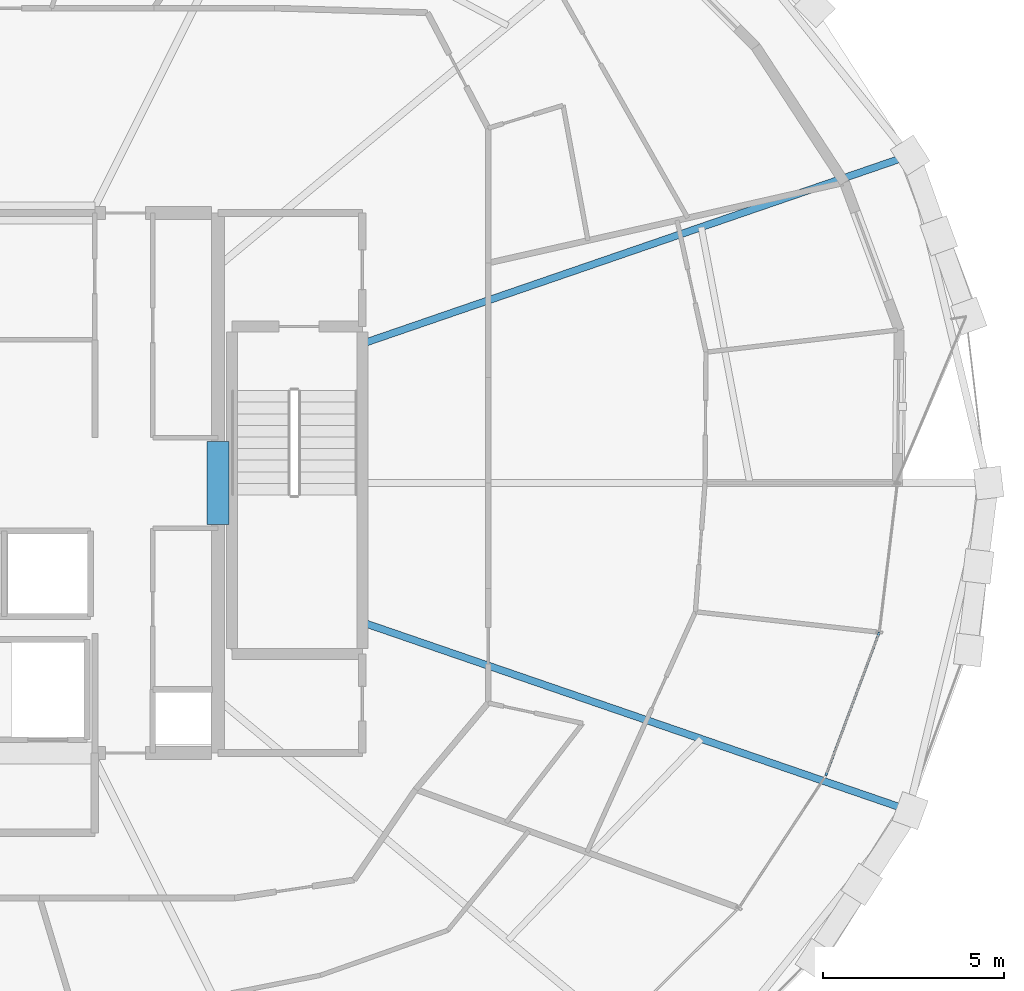
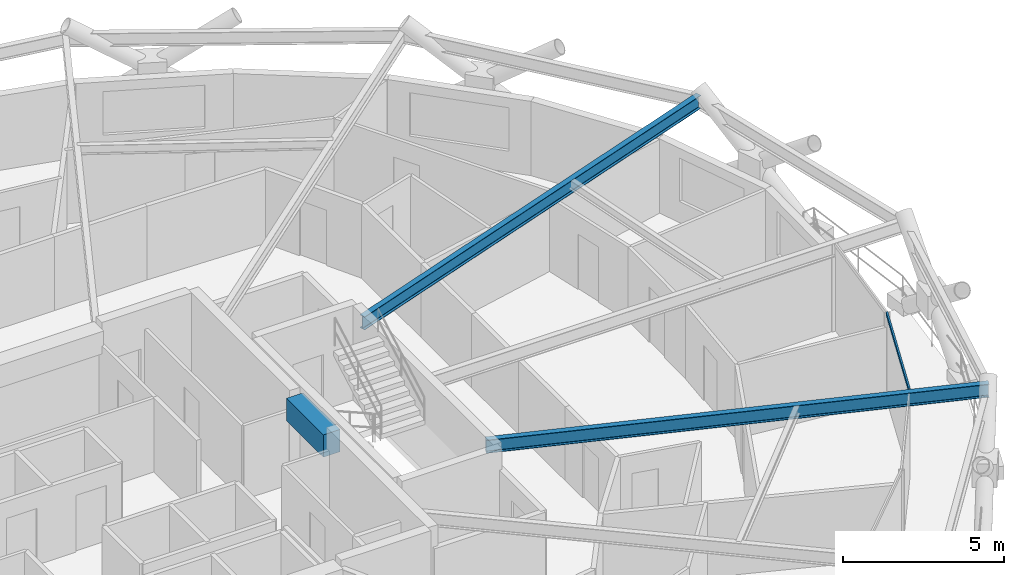
# One storey, part 8 of 21: 3 beams, 1 member, 1 element without a shape of its own.
"""IFC4 building model written with IfcOpenShell, lengths in metres."""

from ifc_helpers import new_model, si_unit, direction, frame, origin, origin_2d, place, context, subcontext, project, spatial, rectangle, hollow_rectangle, i_section, extrude, material, layer, layer_set, material_profile, profile_set, type_object, element, aggregate, save


model = new_model("IFC4")

# Units and contexts
model_context = context("Model", 3, precision=1e-05, world=origin(), true_north=direction((0.0, 1.0)))
body_context = subcontext(model_context, "Body", "Model", "MODEL_VIEW")
ifc_project = project(units=[si_unit("LENGTHUNIT", "METRE"), si_unit("AREAUNIT", "SQUARE_METRE"), si_unit("VOLUMEUNIT", "CUBIC_METRE"), si_unit("PLANEANGLEUNIT", "RADIAN"), si_unit("MASSUNIT", "GRAM", prefix="KILO")], contexts=[model_context])

# Site, building, storey
site_placement = place(None, origin())
site = spatial("IfcSite", under=ifc_project, at=site_placement, CompositionType="ELEMENT")
building_placement = place(site_placement, origin())
building = spatial("IfcBuilding", under=site, at=building_placement, Name="Veldorina Hangang Commons", CompositionType="ELEMENT")
storey_placement = place(building_placement, frame((0.0, 0.0, 138.800048828125)))
storey = spatial("IfcBuildingStorey", under=building, at=storey_placement, Name="L35", CompositionType="ELEMENT", Elevation=138.800048828125)

# Beams
ifc_material_1 = material(Name="Concrete C60/75", Category="concrete")
ifc_material_profile_1 = material_profile(ifc_material_1, rectangle(XDim=0.60009765625, YDim=0.85009765625, at=origin_2d()), Name="RC-CB-600x850")
ifc_profile_set_1 = profile_set([ifc_material_profile_1], Name="Concrete C60/75")
beam_type_1 = type_object("IfcBeamType", Name="BM-CB850", PredefinedType="LINTEL", material=ifc_profile_set_1)
beam_placement = place(storey_placement, frame((39.199951171875, 22.85009765625, 2.925048828125), z_axis=(0.0, 1.0, 0.0), x_axis=(-1.0, 0.0, 0.0)))
element("IfcBeam", 1, at=beam_placement, inside=storey, type_object=beam_type_1, Name="L35 E core coupling lintel beam", PredefinedType="LINTEL", context=body_context, shape_type="SweptSolid", body=[
    extrude(rectangle(XDim=0.60009765625, YDim=0.85009765625, at=origin_2d()), origin(), (0.0, 0.0, 1.0), 2.2998046875),
])
ifc_material_2 = material(Name="Steel SM420-TMC", Category="steel")
ifc_material_profile_2 = material_profile(ifc_material_2, i_section(OverallWidth=0.199951171875, OverallDepth=0.5, WebThickness=0.010009765625, FlangeThickness=0.01611328125, FilletRadius=0.01611328125, at=origin_2d()), Name="H-500x200x10x16")
ifc_profile_set_2 = profile_set([ifc_material_profile_2], Name="Steel SM420-TMC")
beam_type_2 = type_object("IfcBeamType", Name="BM-FG500", PredefinedType="BEAM", material=ifc_profile_set_2)
for number, where, z_axis, x_axis, name in (
    (2, (43.179931640625, 27.844482421875, 3.099853515625), (0.945648786625, 0.325189748232, 0.0), (-0.325189748232, 0.945648786625, 0.0), "L35 radial floor girder 02"),
    (3, (43.179931640625, 20.155517578125, 3.099853515625), (0.945648786625, -0.325189748232, 0.0), (0.325189748232, 0.945648786625, 0.0), "L35 radial floor girder 16"),
):
    element("IfcBeam", number, at=place(storey_placement, frame(where, z_axis=z_axis, x_axis=x_axis)), inside=storey, type_object=beam_type_2, Name=name, PredefinedType="BEAM", context=body_context, shape_type="SweptSolid", body=[
        extrude(i_section(OverallWidth=0.199951171875, OverallDepth=0.5, WebThickness=0.010009765625, FlangeThickness=0.01611328125, FilletRadius=0.01611328125, at=origin_2d()), origin(), (0.0, 0.0, 1.0), 15.94384765625),
    ])

# Curtain wall, member
ifc_material_3 = material(Name="Glass Low-E Triple IGU", Category="glass")
ifc_layer = layer(ifc_material_3, 0.179931640625)
ifc_layer_set = layer_set([ifc_layer], Name="Glass Low-E Triple IGU")
curtain_wall_type = type_object("IfcCurtainWallType", Name="CW-SYS-Z2", PredefinedType="NOTDEFINED", material=ifc_layer_set)
curtain_wall_placement = place(storey_placement, origin())
curtain_wall = element("IfcCurtainWall", 4, at=curtain_wall_placement, inside=storey, type_object=curtain_wall_type, Name="L35 unitised curtain wall CW-L35-R2", PredefinedType="NOTDEFINED")
ifc_material_4 = material(Name="Aluminium Anodized AA6063-T6", Category="aluminium")
ifc_material_profile_3 = material_profile(ifc_material_4, hollow_rectangle(XDim=0.06005859375, YDim=0.139892578125, WallThickness=0.00341796875, at=origin_2d()), Name="ALU-RHS-140x60x3.5")
ifc_profile_set_3 = profile_set([ifc_material_profile_3], Name="Aluminium Anodized AA6063-T6")
member_type = type_object("IfcMemberType", Name="CW-TRN-140", PredefinedType="USERDEFINED", material=ifc_profile_set_3)
member_placement = place(storey_placement, frame((55.9638671875, 15.925048828125, 3.27001953125), z_axis=(0.349406527643, 0.936971226047, 0.0), x_axis=(-0.936971226047, 0.349406527643, 0.0)))
member = element("IfcMember", 5, at=member_placement, type_object=member_type, Name="CW-L35-R2 facet 4 transom 1", ObjectType="TRANSOM", PredefinedType="USERDEFINED", context=body_context, shape_type="SweptSolid", body=[
    extrude(hollow_rectangle(XDim=0.06005859375, YDim=0.139892578125, WallThickness=0.00341796875, at=origin_2d()), origin(), (0.0, 0.0, 1.0), 4.224609375),
])
aggregate(curtain_wall, [member])

save(model, "model.ifc")
